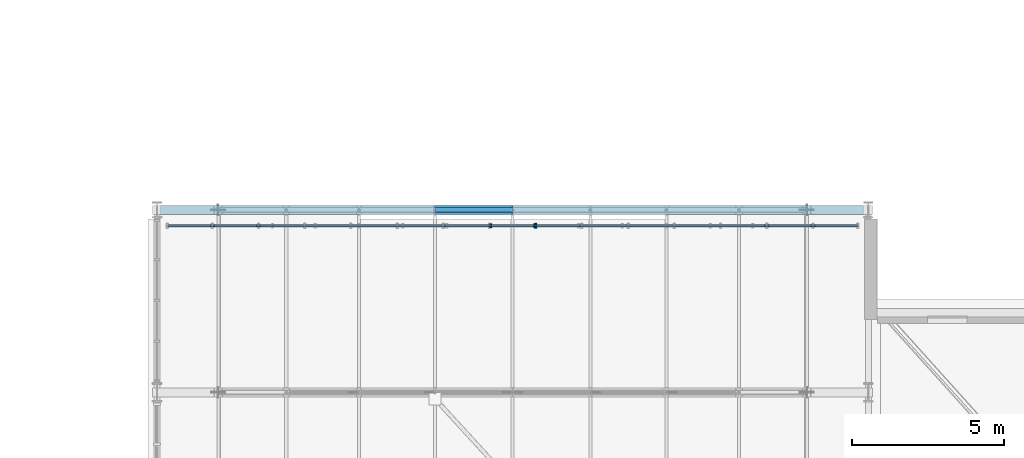
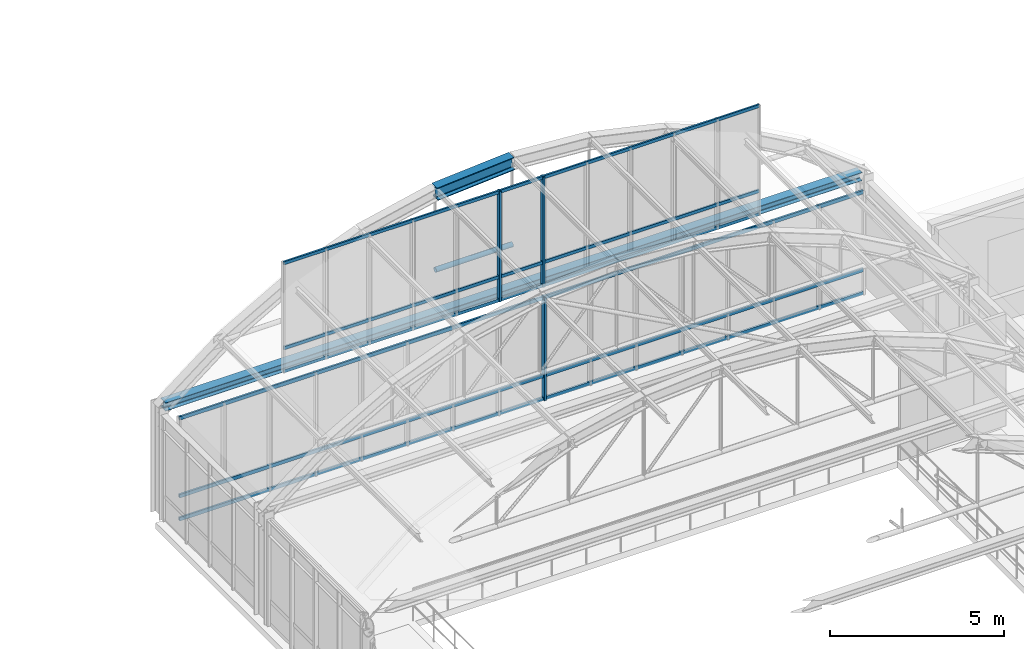
# One storey, part 80 of 148: 10 members, 2 beams, 2 elements without a shape of their own.
"""IFC4 building model written with IfcOpenShell, lengths in metres."""

import ifcopenshell
import ifcopenshell.guid

model = None  # the IFC model being written
_history = None  # IfcOwnerHistory: only IFC2X3 demands one
_inside = {}  # id of a spatial element -> (the spatial element, [elements in it])
_under = {}  # id of a project, library or spatial element -> (it, [spatial elements below it])
_declared = {}  # id of a project -> (the project, [libraries it declares])
_typed = {}  # id of a type object -> (the type object, [elements of that type])
_made_of = {}  # id of a material, layer set ... -> (it, [elements and type objects made of it])


def new_model(schema):
    """Start an empty IFC model of exactly this schema.

    Asked for "IFC4X3", IfcOpenShell would pick the latest addendum, in which some entities
    have other attributes; the version numbers below select the first issue.
    IFC2X3 requires an IfcOwnerHistory on every rooted entity: one is made here for all.
    """
    global model, _history
    if schema == "IFC4X3":
        model = ifcopenshell.file(schema_version=(4, 3, 0, 0))
    else:
        model = ifcopenshell.file(schema=schema)
    _inside.clear()
    _under.clear()
    _declared.clear()
    _typed.clear()
    _made_of.clear()
    _history = None
    if model.schema == "IFC2X3":
        org = make("IfcOrganization", Name="unknown")
        user = make(
            "IfcPersonAndOrganization",
            ThePerson=make("IfcPerson", FamilyName="unknown"),
            TheOrganization=org,
        )
        app = make(
            "IfcApplication",
            ApplicationDeveloper=org,
            Version="unknown",
            ApplicationFullName="unknown",
            ApplicationIdentifier="unknown",
        )
        _history = make(
            "IfcOwnerHistory",
            OwningUser=user,
            OwningApplication=app,
            ChangeAction="ADDED",
            CreationDate=0,
        )
    return model


def make(cls, **values):
    """One entity of the class cls with the attributes given. An attribute that is None is left unset."""
    return model.create_entity(
        cls, **{name: value for name, value in values.items() if value is not None}
    )


def rooted(cls, **values):
    """An entity with a GlobalId (a new one), such as an element, a storey or a relation."""
    return make(cls, GlobalId=ifcopenshell.guid.new(), OwnerHistory=_history, **values)


def si_unit(unit_type, name, prefix=None):
    """IfcSIUnit, for example si_unit("LENGTHUNIT", "METRE", prefix="MILLI")."""
    return make("IfcSIUnit", UnitType=unit_type, Prefix=prefix, Name=name)


def assignment(units):
    """IfcUnitAssignment: the units of a project."""
    return None if units is None else make("IfcUnitAssignment", Units=units)


def point(xyz):
    """IfcCartesianPoint."""
    return None if xyz is None else make("IfcCartesianPoint", Coordinates=xyz)


def direction(xyz):
    """IfcDirection."""
    return None if xyz is None else make("IfcDirection", DirectionRatios=xyz)


def frame(location, z_axis=None, x_axis=None):
    """IfcAxis2Placement3D, a coordinate frame: its origin and axes. An axis left out is left unset."""
    return make(
        "IfcAxis2Placement3D",
        Location=point(location),
        Axis=direction(z_axis),
        RefDirection=direction(x_axis),
    )


def frame_2d(location, x_axis=None):
    """IfcAxis2Placement2D, a coordinate frame in the plane: its origin and x axis."""
    return make(
        "IfcAxis2Placement2D", Location=point(location), RefDirection=direction(x_axis)
    )


def origin():
    """The frame at (0, 0, 0) with its axes left unset."""
    return frame((0.0, 0.0, 0.0))


def origin_2d():
    """The frame at (0, 0) in the plane with its x axis left unset."""
    return frame_2d((0.0, 0.0))


def place(relative_to, where):
    """IfcLocalPlacement: puts the frame where relative to a parent placement (None: the world)."""
    return make(
        "IfcLocalPlacement", PlacementRelTo=relative_to, RelativePlacement=where
    )


def context(
    kind, dimensions, precision=None, world=None, true_north=None, identifier=None
):
    """IfcGeometricRepresentationContext, for example the 3D "Model" context."""
    return make(
        "IfcGeometricRepresentationContext",
        ContextIdentifier=identifier,
        ContextType=kind,
        CoordinateSpaceDimension=dimensions,
        Precision=precision,
        WorldCoordinateSystem=world,
        TrueNorth=true_north,
    )


def subcontext(parent, identifier, kind, view, scale=None):
    """IfcGeometricRepresentationSubContext, for example "Body" below "Model"."""
    return make(
        "IfcGeometricRepresentationSubContext",
        ContextIdentifier=identifier,
        ContextType=kind,
        ParentContext=parent,
        TargetScale=scale,
        TargetView=view,
    )


def project(units=None, contexts=None):
    """IfcProject with its units and contexts."""
    return rooted(
        "IfcProject",
        Name="project",
        RepresentationContexts=contexts,
        UnitsInContext=assignment(units),
    )


def spatial(cls, under=None, at=None, **own):
    """A site, building, storey or space (cls), placed at a placement, below another one or the project."""
    s = rooted(cls, ObjectPlacement=at, **own)
    if under is not None:
        _under.setdefault(under.id(), (under, []))[1].append(s)
    return s


def profile(cls, at=None, kind="AREA", **sizes):
    """A parametric profile (cls). Its sizes go by their IFC names, for example OverallWidth=200.0."""
    return make(cls, ProfileType=kind, Position=at, **sizes)


def rectangle(**sizes):
    """IfcRectangleProfileDef."""
    return profile("IfcRectangleProfileDef", **sizes)


def hollow_circle(**sizes):
    """IfcCircleHollowProfileDef."""
    return profile("IfcCircleHollowProfileDef", **sizes)


def i_section(**sizes):
    """IfcIShapeProfileDef."""
    return profile("IfcIShapeProfileDef", **sizes)


def extrude(swept, where, along, depth):
    """IfcExtrudedAreaSolid: the profile swept, set in the frame where, extruded along a direction by depth."""
    return make(
        "IfcExtrudedAreaSolid",
        SweptArea=swept,
        Position=where,
        ExtrudedDirection=direction(along),
        Depth=depth,
    )


def shape(context_of_items, identifier, shape_type, items):
    """IfcShapeRepresentation: the items that make up one representation, for example the "Body"."""
    return make(
        "IfcShapeRepresentation",
        ContextOfItems=context_of_items,
        RepresentationIdentifier=identifier,
        RepresentationType=shape_type,
        Items=items,
    )


def material(Name=None, Category=None):
    """IfcMaterial."""
    return make("IfcMaterial", Name=Name, Category=Category)


def layer(
    of_material, thickness, ventilated=None, Name=None, Category=None, Priority=None
):
    """IfcMaterialLayer: one layer of a wall or slab, of a material (None: an air gap)."""
    return make(
        "IfcMaterialLayer",
        Material=of_material,
        LayerThickness=thickness,
        IsVentilated=ventilated,
        Name=Name,
        Category=Category,
        Priority=Priority,
    )


def layer_set(layers, Name=None):
    """IfcMaterialLayerSet."""
    return make("IfcMaterialLayerSet", MaterialLayers=layers, LayerSetName=Name)


def material_profile(
    of_material, cross_section, Name=None, Category=None, Priority=None
):
    """IfcMaterialProfile: a cross section and its material."""
    return make(
        "IfcMaterialProfile",
        Name=Name,
        Material=of_material,
        Profile=cross_section,
        Priority=Priority,
        Category=Category,
    )


def profile_set(profiles, Name=None, composite=None):
    """IfcMaterialProfileSet."""
    return make(
        "IfcMaterialProfileSet",
        Name=Name,
        MaterialProfiles=profiles,
        CompositeProfile=composite,
    )


def made_of(thing, what):
    """Note that an element or type object is made of a material, layer set ...; save() writes the relation."""
    if what is not None:
        _made_of.setdefault(what.id(), (what, []))[1].append(thing)
    return thing


def type_object(cls, material=None, **own):
    """A type object (cls), such as IfcWallType, which elements share."""
    return made_of(rooted(cls, **own), material)


def element(
    cls,
    number,
    at=None,
    inside=None,
    cuts=None,
    type_object=None,
    material=None,
    context=None,
    identifier="Body",
    shape_type=None,
    held_by="IfcProductDefinitionShape",
    body=None,
    shapes=None,
    **own,
):
    """One element of the class cls, such as IfcWall. Its Tag is "e" and its number.

    at: its placement. inside: the storey or other place that contains it. cuts: it is an
    opening in that element (IfcRelVoidsElement). A single representation is given by context,
    identifier, shape_type and body (its items); several are given by shapes. held_by: the class
    of the entity that holds the representations. save() writes the other relations.
    """
    e = rooted(cls, Tag="e%d" % number, ObjectPlacement=at, **own)
    if body is not None:
        shapes = [shape(context, identifier, shape_type, body)]
    if shapes is not None:
        e.Representation = make(held_by, Representations=shapes)
    if inside is not None:
        _inside.setdefault(inside.id(), (inside, []))[1].append(e)
    if cuts is not None:
        rooted(
            "IfcRelVoidsElement", RelatingBuildingElement=cuts, RelatedOpeningElement=e
        )
    if type_object is not None:
        _typed.setdefault(type_object.id(), (type_object, []))[1].append(e)
    return made_of(e, material)


def aggregate(whole, parts):
    """IfcRelAggregates: a whole, such as a stair, and the parts it consists of."""
    return rooted("IfcRelAggregates", RelatingObject=whole, RelatedObjects=parts)


def save(model, path):
    """Write the relations noted so far, then the file.

    IfcRelAggregates (storeys below a building ...), IfcRelContainedInSpatialStructure (elements
    in a storey), IfcRelDefinesByType, IfcRelAssociatesMaterial and IfcRelDeclares: one each for
    every whole, place, type object, material and project.
    """
    for whole, parts in _under.values():
        aggregate(whole, parts)
    for where, things in _inside.values():
        rooted(
            "IfcRelContainedInSpatialStructure",
            RelatedElements=things,
            RelatingStructure=where,
        )
    for kind, things in _typed.values():
        rooted("IfcRelDefinesByType", RelatedObjects=things, RelatingType=kind)
    for what, things in _made_of.values():
        rooted("IfcRelAssociatesMaterial", RelatedObjects=things, RelatingMaterial=what)
    for by, libraries in _declared.values():
        rooted("IfcRelDeclares", RelatingContext=by, RelatedDefinitions=libraries)
    model.write(path)


model = new_model("IFC4")

# Units and contexts
model_context = context("Model", 3, precision=1e-05, world=origin(), true_north=direction((0.0, 1.0)))
body_context = subcontext(model_context, "Body", "Model", "MODEL_VIEW")
ifc_project = project(units=[si_unit("LENGTHUNIT", "METRE"), si_unit("AREAUNIT", "SQUARE_METRE"), si_unit("VOLUMEUNIT", "CUBIC_METRE"), si_unit("PLANEANGLEUNIT", "RADIAN"), si_unit("MASSUNIT", "GRAM", prefix="KILO"), si_unit("THERMODYNAMICTEMPERATUREUNIT", "KELVIN"), si_unit("POWERUNIT", "WATT")], contexts=[model_context])

# Site, building, storey
site_placement = place(None, origin())
site = spatial("IfcSite", under=ifc_project, at=site_placement, CompositionType="ELEMENT")
building_placement = place(site_placement, origin())
building = spatial("IfcBuilding", under=site, at=building_placement, Name="Solvatero Civic Police Headquarters", CompositionType="ELEMENT")
storey_placement = place(building_placement, frame((0.0, 0.0, 5.10009765625)))
storey = spatial("IfcBuildingStorey", under=building, at=storey_placement, Name="L01", CompositionType="ELEMENT", Elevation=5.10009765625)

# Beams
ifc_material_1 = material(Name="Steel S355", Category="steel")
ifc_material_profile_1 = material_profile(ifc_material_1, i_section(OverallWidth=0.300048828125, OverallDepth=0.2900390625, WebThickness=0.008544921875, FlangeThickness=0.013916015625, FilletRadius=0.027099609375, at=origin_2d()), Name="HEA 300")
ifc_profile_set_1 = profile_set([ifc_material_profile_1], Name="Steel S355")
beam_type_1 = type_object("IfcBeamType", Name="BM-ST-HEA300", PredefinedType="SPANDREL", material=ifc_profile_set_1)
beam_1_placement = place(storey_placement, frame((98.919921875, 46.800048828125, 3.81884765625), z_axis=(1.0, 0.0, 0.0), x_axis=(0.0, 1.0, 0.0)))
element("IfcBeam", 1, at=beam_1_placement, inside=storey, type_object=beam_type_1, Name="VLT1 Barrel Vault Springing Tie Beam F8", PredefinedType="SPANDREL", context=body_context, shape_type="SweptSolid", body=[
    extrude(i_section(OverallWidth=0.300048828125, OverallDepth=0.2900390625, WebThickness=0.008544921875, FlangeThickness=0.013916015625, FilletRadius=0.027099609375, at=origin_2d()), origin(), (0.0, 0.0, 1.0), 23.1201171875),
])
ifc_material_profile_2 = material_profile(ifc_material_1, i_section(OverallWidth=0.300048828125, OverallDepth=0.449951171875, WebThickness=0.013916015625, FlangeThickness=0.02587890625, FilletRadius=0.027099609375, at=origin_2d()), Name="HEB 450")
ifc_profile_set_2 = profile_set([ifc_material_profile_2], Name="Steel S355")
beam_type_2 = type_object("IfcBeamType", Name="BM-ST-HEB450", PredefinedType="BEAM", material=ifc_profile_set_2)
beam_2_placement = place(storey_placement, frame((107.94482421875, 46.800048828125, 8.1259765625), z_axis=(0.997304549883, 0.0, 0.073373256584), x_axis=(0.0, 1.0, 0.0)))
element("IfcBeam", 2, at=beam_2_placement, inside=storey, type_object=beam_type_2, Name="VLT1 Tied-Arch Vault Top Chord F8.5", PredefinedType="BEAM", context=body_context, shape_type="SweptSolid", body=[
    extrude(i_section(OverallWidth=0.300048828125, OverallDepth=0.449951171875, WebThickness=0.013916015625, FlangeThickness=0.02587890625, FilletRadius=0.027099609375, at=origin_2d()), origin(), (0.0, 0.0, 1.0), 2.56201171875),
])

# Curtain wall, members
ifc_material_2 = material(Name="Anodized Bronze Aluminium", Category="aluminium")
ifc_layer_1 = layer(ifc_material_2, 0.179931640625)
ifc_layer_set_1 = layer_set([ifc_layer_1], Name="Anodized Bronze Aluminium")
curtain_wall_type_1 = type_object("IfcCurtainWallType", Name="CW-VLT-TYMP", PredefinedType="USERDEFINED", material=ifc_layer_set_1)
curtain_wall_1_placement = place(storey_placement, origin())
curtain_wall_1 = element("IfcCurtainWall", 3, at=curtain_wall_1_placement, inside=storey, type_object=curtain_wall_type_1, Name="Curtain Wall CW-R2-L01-VLT1-N", ObjectType="UNITISED", PredefinedType="USERDEFINED")
ifc_material_profile_3 = material_profile(ifc_material_2, rectangle(XDim=0.06005859375, YDim=0.139892578125, at=origin_2d()), Name="ALU MULLION 60x140")
ifc_profile_set_3 = profile_set([ifc_material_profile_3], Name="Anodized Bronze Aluminium")
member_type_1 = type_object("IfcMemberType", Name="CWM-160x65", PredefinedType="MULLION", material=ifc_profile_set_3)
member_1_placement = place(storey_placement, frame((109.7783203125, 46.280029296875, 3.97998046875), z_axis=(0.0, 0.0, 1.0), x_axis=(1.0, 0.0, 0.0)))
member_1 = element("IfcMember", 4, at=member_1_placement, type_object=member_type_1, Name="CW-R2-L01-VLT1-N Mullion 6", PredefinedType="MULLION", context=body_context, shape_type="SweptSolid", body=[
    extrude(rectangle(XDim=0.06005859375, YDim=0.139892578125, at=origin_2d()), origin(), (0.0, 0.0, 1.0), 3.869873046875),
])
member_2_placement = place(storey_placement, frame((111.2216796875, 46.280029296875, 3.97998046875), z_axis=(0.0, 0.0, 1.0), x_axis=(1.0, 0.0, 0.0)))
member_2 = element("IfcMember", 5, at=member_2_placement, type_object=member_type_1, Name="CW-R2-L01-VLT1-N Mullion 7", PredefinedType="MULLION", context=body_context, shape_type="SweptSolid", body=[
    extrude(rectangle(XDim=0.06005859375, YDim=0.139892578125, at=origin_2d()), origin(), (0.0, 0.0, 1.0), 3.869873046875),
])

# Curtain wall, member
ifc_layer_2 = layer(ifc_material_2, 0.179931640625)
ifc_layer_set_2 = layer_set([ifc_layer_2], Name="Anodized Bronze Aluminium")
curtain_wall_type_2 = type_object("IfcCurtainWallType", Name="CW-HAL-GLZ", PredefinedType="USERDEFINED", material=ifc_layer_set_2)
curtain_wall_2_placement = place(storey_placement, origin())
curtain_wall_2 = element("IfcCurtainWall", 6, at=curtain_wall_2_placement, inside=storey, type_object=curtain_wall_type_2, Name="Curtain Wall CW-R2-L01-V1-N", ObjectType="UNITISED", PredefinedType="USERDEFINED")
ifc_material_profile_4 = material_profile(ifc_material_2, rectangle(XDim=0.06005859375, YDim=0.159912109375, at=origin_2d()), Name="ALU MULLION 60x160")
ifc_profile_set_4 = profile_set([ifc_material_profile_4], Name="Anodized Bronze Aluminium")
member_type_2 = type_object("IfcMemberType", Name="CWM-180x70", PredefinedType="MULLION", material=ifc_profile_set_4)
member_3_placement = place(storey_placement, frame((111.260009765625, 46.280029296875, 0.0), z_axis=(0.0, 0.0, 1.0), x_axis=(1.0, 0.0, 0.0)))
member_3 = element("IfcMember", 7, at=member_3_placement, type_object=member_type_2, Name="CW-R2-L01-V1-N Mullion 9", PredefinedType="MULLION", context=body_context, shape_type="SweptSolid", body=[
    extrude(rectangle(XDim=0.06005859375, YDim=0.159912109375, at=origin_2d()), origin(), (0.0, 0.0, 1.0), 3.619873046875),
])

# Member
ifc_material_profile_5 = material_profile(ifc_material_2, rectangle(XDim=0.06005859375, YDim=0.110107421875, at=origin_2d()), Name="ALU TRANSOM 60x110")
ifc_profile_set_5 = profile_set([ifc_material_profile_5], Name="Anodized Bronze Aluminium")
member_type_3 = type_object("IfcMemberType", Name="CWT-140x60", PredefinedType="USERDEFINED", material=ifc_profile_set_5)
member_4_placement = place(storey_placement, frame((102.610107421875, 46.280029296875, 4.02001953125), z_axis=(1.0, 0.0, 0.0), x_axis=(0.0, 1.0, 0.0)))
member_4 = element("IfcMember", 8, at=member_4_placement, type_object=member_type_3, Name="CW-R2-L01-VLT1-N Transom 1", ObjectType="TRANSOM", PredefinedType="USERDEFINED", context=body_context, shape_type="SweptSolid", body=[
    extrude(rectangle(XDim=0.06005859375, YDim=0.110107421875, at=origin_2d()), origin(), (0.0, 0.0, 1.0), 15.77978515625),
])

member_5_placement = place(storey_placement, frame((102.610107421875, 46.280029296875, 4.829833984375), z_axis=(1.0, 0.0, 0.0), x_axis=(0.0, 1.0, 0.0)))
member_5 = element("IfcMember", 9, at=member_5_placement, type_object=member_type_3, Name="CW-R2-L01-VLT1-N Transom 2", ObjectType="TRANSOM", PredefinedType="USERDEFINED", context=body_context, shape_type="SweptSolid", body=[
    extrude(rectangle(XDim=0.06005859375, YDim=0.110107421875, at=origin_2d()), origin(), (0.0, 0.0, 1.0), 15.77978515625),
])

member_6_placement = place(storey_placement, frame((102.610107421875, 46.280029296875, 7.809814453125), z_axis=(1.0, 0.0, 0.0), x_axis=(0.0, 1.0, 0.0)))
member_6 = element("IfcMember", 10, at=member_6_placement, type_object=member_type_3, Name="CW-R2-L01-VLT1-N Transom 3", ObjectType="TRANSOM", PredefinedType="USERDEFINED", context=body_context, shape_type="SweptSolid", body=[
    extrude(rectangle(XDim=0.06005859375, YDim=0.110107421875, at=origin_2d()), origin(), (0.0, 0.0, 1.0), 15.77978515625),
])

aggregate(curtain_wall_1, [member_1, member_2, member_4, member_5, member_6])

ifc_material_profile_6 = material_profile(ifc_material_2, rectangle(XDim=0.06005859375, YDim=0.125, at=origin_2d()), Name="ALU TRANSOM 60x125")
ifc_profile_set_6 = profile_set([ifc_material_profile_6], Name="Anodized Bronze Aluminium")
member_type_4 = type_object("IfcMemberType", Name="CWT-160x65", PredefinedType="USERDEFINED", material=ifc_profile_set_6)
member_7_placement = place(storey_placement, frame((99.152099609375, 46.280029296875, 0.039794921875), z_axis=(1.0, 0.0, 0.0), x_axis=(0.0, 1.0, 0.0)))
member_7 = element("IfcMember", 11, at=member_7_placement, type_object=member_type_4, Name="CW-R2-L01-V1-N Transom 1", ObjectType="TRANSOM", PredefinedType="USERDEFINED", context=body_context, shape_type="SweptSolid", body=[
    extrude(rectangle(XDim=0.06005859375, YDim=0.125, at=origin_2d()), origin(), (0.0, 0.0, 1.0), 22.69580078125),
])

member_8_placement = place(storey_placement, frame((99.152099609375, 46.280029296875, 0.849853515625), z_axis=(1.0, 0.0, 0.0), x_axis=(0.0, 1.0, 0.0)))
member_8 = element("IfcMember", 12, at=member_8_placement, type_object=member_type_4, Name="CW-R2-L01-V1-N Transom 2", ObjectType="TRANSOM", PredefinedType="USERDEFINED", context=body_context, shape_type="SweptSolid", body=[
    extrude(rectangle(XDim=0.06005859375, YDim=0.125, at=origin_2d()), origin(), (0.0, 0.0, 1.0), 22.69580078125),
])

member_9_placement = place(storey_placement, frame((99.152099609375, 46.280029296875, 3.579833984375), z_axis=(1.0, 0.0, 0.0), x_axis=(0.0, 1.0, 0.0)))
member_9 = element("IfcMember", 13, at=member_9_placement, type_object=member_type_4, Name="CW-R2-L01-V1-N Transom 3", ObjectType="TRANSOM", PredefinedType="USERDEFINED", context=body_context, shape_type="SweptSolid", body=[
    extrude(rectangle(XDim=0.06005859375, YDim=0.125, at=origin_2d()), origin(), (0.0, 0.0, 1.0), 22.69580078125),
])

aggregate(curtain_wall_2, [member_3, member_7, member_8, member_9])

ifc_material_profile_7 = material_profile(ifc_material_1, hollow_circle(Radius=0.084228515625, WallThickness=0.010009765625, at=origin_2d()), Name="CHS 168.3x10.0")
ifc_profile_set_7 = profile_set([ifc_material_profile_7], Name="Steel S355")
member_type_5 = type_object("IfcMemberType", Name="MB-TIE-CHS168", PredefinedType="CHORD", material=ifc_profile_set_7)
member_10_placement = place(storey_placement, frame((107.94482421875, 46.800048828125, 5.3916015625), z_axis=(1.0, 0.0, 0.0), x_axis=(0.0, 1.0, 0.0)))
element("IfcMember", 14, at=member_10_placement, inside=storey, type_object=member_type_5, Name="VLT1 Vault Horizontal Tie Chord F8.4", PredefinedType="CHORD", context=body_context, shape_type="SweptSolid", body=[
    extrude(hollow_circle(Radius=0.084228515625, WallThickness=0.010009765625, at=origin_2d()), origin(), (0.0, 0.0, 1.0), 2.55517578125),
])

save(model, "model.ifc")
